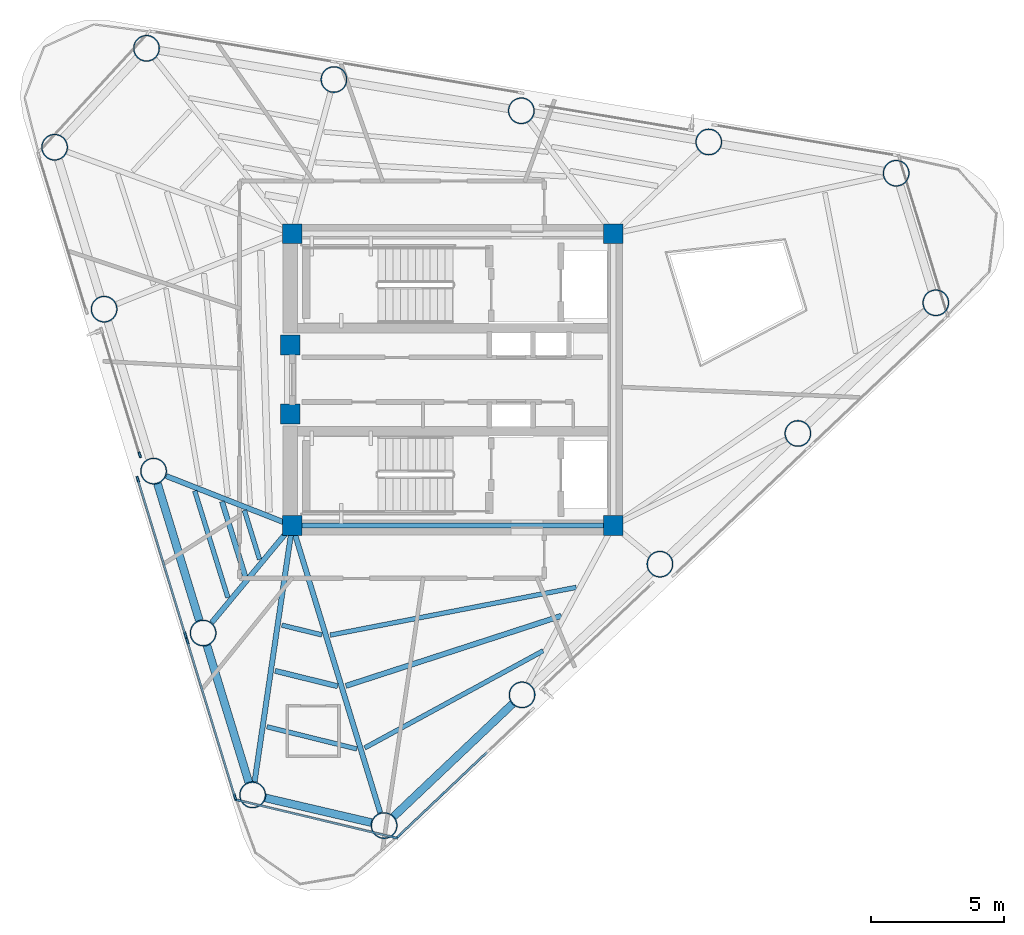
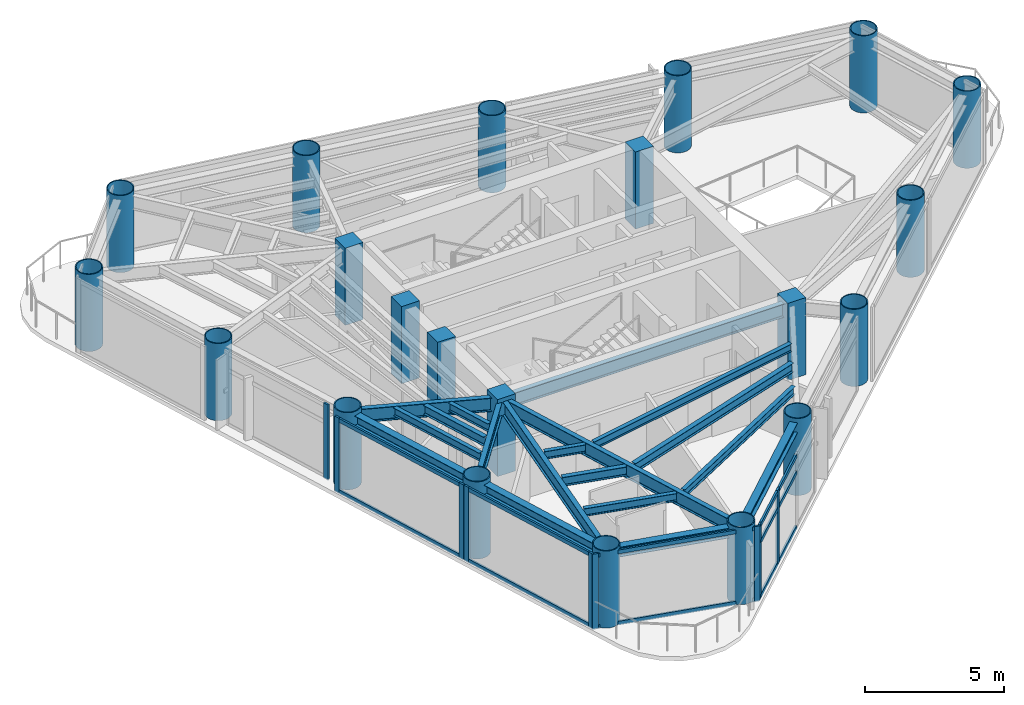
# One storey, part 1 of 9: 21 columns, 21 members, 18 beams, 5 elements without a shape of their own.
"""IFC4 building model written with IfcOpenShell, lengths in metres."""

import ifcopenshell
import ifcopenshell.guid

model = None  # the IFC model being written
_history = None  # IfcOwnerHistory: only IFC2X3 demands one
_inside = {}  # id of a spatial element -> (the spatial element, [elements in it])
_under = {}  # id of a project, library or spatial element -> (it, [spatial elements below it])
_declared = {}  # id of a project -> (the project, [libraries it declares])
_typed = {}  # id of a type object -> (the type object, [elements of that type])
_made_of = {}  # id of a material, layer set ... -> (it, [elements and type objects made of it])


def new_model(schema):
    """Start an empty IFC model of exactly this schema.

    Asked for "IFC4X3", IfcOpenShell would pick the latest addendum, in which some entities
    have other attributes; the version numbers below select the first issue.
    IFC2X3 requires an IfcOwnerHistory on every rooted entity: one is made here for all.
    """
    global model, _history
    if schema == "IFC4X3":
        model = ifcopenshell.file(schema_version=(4, 3, 0, 0))
    else:
        model = ifcopenshell.file(schema=schema)
    _inside.clear()
    _under.clear()
    _declared.clear()
    _typed.clear()
    _made_of.clear()
    _history = None
    if model.schema == "IFC2X3":
        org = make("IfcOrganization", Name="unknown")
        user = make(
            "IfcPersonAndOrganization",
            ThePerson=make("IfcPerson", FamilyName="unknown"),
            TheOrganization=org,
        )
        app = make(
            "IfcApplication",
            ApplicationDeveloper=org,
            Version="unknown",
            ApplicationFullName="unknown",
            ApplicationIdentifier="unknown",
        )
        _history = make(
            "IfcOwnerHistory",
            OwningUser=user,
            OwningApplication=app,
            ChangeAction="ADDED",
            CreationDate=0,
        )
    return model


def make(cls, **values):
    """One entity of the class cls with the attributes given. An attribute that is None is left unset."""
    return model.create_entity(
        cls, **{name: value for name, value in values.items() if value is not None}
    )


def rooted(cls, **values):
    """An entity with a GlobalId (a new one), such as an element, a storey or a relation."""
    return make(cls, GlobalId=ifcopenshell.guid.new(), OwnerHistory=_history, **values)


def si_unit(unit_type, name, prefix=None):
    """IfcSIUnit, for example si_unit("LENGTHUNIT", "METRE", prefix="MILLI")."""
    return make("IfcSIUnit", UnitType=unit_type, Prefix=prefix, Name=name)


def assignment(units):
    """IfcUnitAssignment: the units of a project."""
    return None if units is None else make("IfcUnitAssignment", Units=units)


def point(xyz):
    """IfcCartesianPoint."""
    return None if xyz is None else make("IfcCartesianPoint", Coordinates=xyz)


def direction(xyz):
    """IfcDirection."""
    return None if xyz is None else make("IfcDirection", DirectionRatios=xyz)


def frame(location, z_axis=None, x_axis=None):
    """IfcAxis2Placement3D, a coordinate frame: its origin and axes. An axis left out is left unset."""
    return make(
        "IfcAxis2Placement3D",
        Location=point(location),
        Axis=direction(z_axis),
        RefDirection=direction(x_axis),
    )


def frame_2d(location, x_axis=None):
    """IfcAxis2Placement2D, a coordinate frame in the plane: its origin and x axis."""
    return make(
        "IfcAxis2Placement2D", Location=point(location), RefDirection=direction(x_axis)
    )


def origin():
    """The frame at (0, 0, 0) with its axes left unset."""
    return frame((0.0, 0.0, 0.0))


def origin_2d():
    """The frame at (0, 0) in the plane with its x axis left unset."""
    return frame_2d((0.0, 0.0))


def place(relative_to, where):
    """IfcLocalPlacement: puts the frame where relative to a parent placement (None: the world)."""
    return make(
        "IfcLocalPlacement", PlacementRelTo=relative_to, RelativePlacement=where
    )


def context(
    kind, dimensions, precision=None, world=None, true_north=None, identifier=None
):
    """IfcGeometricRepresentationContext, for example the 3D "Model" context."""
    return make(
        "IfcGeometricRepresentationContext",
        ContextIdentifier=identifier,
        ContextType=kind,
        CoordinateSpaceDimension=dimensions,
        Precision=precision,
        WorldCoordinateSystem=world,
        TrueNorth=true_north,
    )


def subcontext(parent, identifier, kind, view, scale=None):
    """IfcGeometricRepresentationSubContext, for example "Body" below "Model"."""
    return make(
        "IfcGeometricRepresentationSubContext",
        ContextIdentifier=identifier,
        ContextType=kind,
        ParentContext=parent,
        TargetScale=scale,
        TargetView=view,
    )


def project(units=None, contexts=None):
    """IfcProject with its units and contexts."""
    return rooted(
        "IfcProject",
        Name="project",
        RepresentationContexts=contexts,
        UnitsInContext=assignment(units),
    )


def spatial(cls, under=None, at=None, **own):
    """A site, building, storey or space (cls), placed at a placement, below another one or the project."""
    s = rooted(cls, ObjectPlacement=at, **own)
    if under is not None:
        _under.setdefault(under.id(), (under, []))[1].append(s)
    return s


def profile(cls, at=None, kind="AREA", **sizes):
    """A parametric profile (cls). Its sizes go by their IFC names, for example OverallWidth=200.0."""
    return make(cls, ProfileType=kind, Position=at, **sizes)


def rectangle(**sizes):
    """IfcRectangleProfileDef."""
    return profile("IfcRectangleProfileDef", **sizes)


def hollow_circle(**sizes):
    """IfcCircleHollowProfileDef."""
    return profile("IfcCircleHollowProfileDef", **sizes)


def i_section(**sizes):
    """IfcIShapeProfileDef."""
    return profile("IfcIShapeProfileDef", **sizes)


def extrude(swept, where, along, depth):
    """IfcExtrudedAreaSolid: the profile swept, set in the frame where, extruded along a direction by depth."""
    return make(
        "IfcExtrudedAreaSolid",
        SweptArea=swept,
        Position=where,
        ExtrudedDirection=direction(along),
        Depth=depth,
    )


def shape(context_of_items, identifier, shape_type, items):
    """IfcShapeRepresentation: the items that make up one representation, for example the "Body"."""
    return make(
        "IfcShapeRepresentation",
        ContextOfItems=context_of_items,
        RepresentationIdentifier=identifier,
        RepresentationType=shape_type,
        Items=items,
    )


def source(mapping_origin, context_of_items, identifier, shape_type, items):
    """IfcRepresentationMap: a shape defined once, which mapped items show again and again."""
    return make(
        "IfcRepresentationMap",
        MappingOrigin=mapping_origin,
        MappedRepresentation=shape(context_of_items, identifier, shape_type, items),
    )


def transform(
    local_origin,
    x_axis=None,
    y_axis=None,
    z_axis=None,
    scale=None,
    scale2=None,
    scale3=None,
    uniform=True,
):
    """IfcCartesianTransformationOperator3D, or its non-uniform kind. x_axis, y_axis, z_axis: its Axis1, 2, 3."""
    if uniform:
        return make(
            "IfcCartesianTransformationOperator3D",
            Axis1=direction(x_axis),
            Axis2=direction(y_axis),
            LocalOrigin=point(local_origin),
            Scale=scale,
            Axis3=direction(z_axis),
        )
    return make(
        "IfcCartesianTransformationOperator3DnonUniform",
        Axis1=direction(x_axis),
        Axis2=direction(y_axis),
        LocalOrigin=point(local_origin),
        Scale=scale,
        Axis3=direction(z_axis),
        Scale2=scale2,
        Scale3=scale3,
    )


def mapped(mapping_source, mapping_target):
    """IfcMappedItem: shows the shape of a source again, moved by a transform."""
    return make(
        "IfcMappedItem", MappingSource=mapping_source, MappingTarget=mapping_target
    )


def material(Name=None, Category=None):
    """IfcMaterial."""
    return make("IfcMaterial", Name=Name, Category=Category)


def layer(
    of_material, thickness, ventilated=None, Name=None, Category=None, Priority=None
):
    """IfcMaterialLayer: one layer of a wall or slab, of a material (None: an air gap)."""
    return make(
        "IfcMaterialLayer",
        Material=of_material,
        LayerThickness=thickness,
        IsVentilated=ventilated,
        Name=Name,
        Category=Category,
        Priority=Priority,
    )


def layer_set(layers, Name=None):
    """IfcMaterialLayerSet."""
    return make("IfcMaterialLayerSet", MaterialLayers=layers, LayerSetName=Name)


def material_profile(
    of_material, cross_section, Name=None, Category=None, Priority=None
):
    """IfcMaterialProfile: a cross section and its material."""
    return make(
        "IfcMaterialProfile",
        Name=Name,
        Material=of_material,
        Profile=cross_section,
        Priority=Priority,
        Category=Category,
    )


def profile_set(profiles, Name=None, composite=None):
    """IfcMaterialProfileSet."""
    return make(
        "IfcMaterialProfileSet",
        Name=Name,
        MaterialProfiles=profiles,
        CompositeProfile=composite,
    )


def made_of(thing, what):
    """Note that an element or type object is made of a material, layer set ...; save() writes the relation."""
    if what is not None:
        _made_of.setdefault(what.id(), (what, []))[1].append(thing)
    return thing


def type_object(cls, material=None, **own):
    """A type object (cls), such as IfcWallType, which elements share."""
    return made_of(rooted(cls, **own), material)


def element(
    cls,
    number,
    at=None,
    inside=None,
    cuts=None,
    type_object=None,
    material=None,
    context=None,
    identifier="Body",
    shape_type=None,
    held_by="IfcProductDefinitionShape",
    body=None,
    shapes=None,
    **own,
):
    """One element of the class cls, such as IfcWall. Its Tag is "e" and its number.

    at: its placement. inside: the storey or other place that contains it. cuts: it is an
    opening in that element (IfcRelVoidsElement). A single representation is given by context,
    identifier, shape_type and body (its items); several are given by shapes. held_by: the class
    of the entity that holds the representations. save() writes the other relations.
    """
    e = rooted(cls, Tag="e%d" % number, ObjectPlacement=at, **own)
    if body is not None:
        shapes = [shape(context, identifier, shape_type, body)]
    if shapes is not None:
        e.Representation = make(held_by, Representations=shapes)
    if inside is not None:
        _inside.setdefault(inside.id(), (inside, []))[1].append(e)
    if cuts is not None:
        rooted(
            "IfcRelVoidsElement", RelatingBuildingElement=cuts, RelatedOpeningElement=e
        )
    if type_object is not None:
        _typed.setdefault(type_object.id(), (type_object, []))[1].append(e)
    return made_of(e, material)


def aggregate(whole, parts):
    """IfcRelAggregates: a whole, such as a stair, and the parts it consists of."""
    return rooted("IfcRelAggregates", RelatingObject=whole, RelatedObjects=parts)


def save(model, path):
    """Write the relations noted so far, then the file.

    IfcRelAggregates (storeys below a building ...), IfcRelContainedInSpatialStructure (elements
    in a storey), IfcRelDefinesByType, IfcRelAssociatesMaterial and IfcRelDeclares: one each for
    every whole, place, type object, material and project.
    """
    for whole, parts in _under.values():
        aggregate(whole, parts)
    for where, things in _inside.values():
        rooted(
            "IfcRelContainedInSpatialStructure",
            RelatedElements=things,
            RelatingStructure=where,
        )
    for kind, things in _typed.values():
        rooted("IfcRelDefinesByType", RelatedObjects=things, RelatingType=kind)
    for what, things in _made_of.values():
        rooted("IfcRelAssociatesMaterial", RelatedObjects=things, RelatingMaterial=what)
    for by, libraries in _declared.values():
        rooted("IfcRelDeclares", RelatingContext=by, RelatedDefinitions=libraries)
    model.write(path)


model = new_model("IFC4")

# Units and contexts
model_context = context("Model", 3, precision=1e-05, world=origin(), true_north=direction((0.0, 1.0)))
body_context = subcontext(model_context, "Body", "Model", "MODEL_VIEW")
ifc_project = project(units=[si_unit("LENGTHUNIT", "METRE"), si_unit("AREAUNIT", "SQUARE_METRE"), si_unit("VOLUMEUNIT", "CUBIC_METRE"), si_unit("PLANEANGLEUNIT", "RADIAN"), si_unit("MASSUNIT", "GRAM", prefix="KILO")], contexts=[model_context])

# Site, building, storey
site_placement = place(None, origin())
site = spatial("IfcSite", under=ifc_project, at=site_placement, CompositionType="ELEMENT")
building_placement = place(site_placement, origin())
building = spatial("IfcBuilding", under=site, at=building_placement, Name="Yunling Apex Tower", CompositionType="ELEMENT")
storey_placement = place(building_placement, frame((0.0, 0.0, 232.050048828125)))
storey = spatial("IfcBuildingStorey", under=building, at=storey_placement, Name="L56", CompositionType="ELEMENT", Elevation=232.050048828125)

# Columns
ifc_material_1 = material(Name="Concrete C50", Category="concrete")
ifc_material_profile_1 = material_profile(ifc_material_1, rectangle(XDim=0.75, YDim=0.75, at=origin_2d()))
ifc_profile_set_1 = profile_set([ifc_material_profile_1], Name="Concrete C50")
column_type_1 = type_object("IfcColumnType", Name="PC-SRC-4", PredefinedType="COLUMN", material=ifc_profile_set_1)
shared_shape_1 = source(origin(), body_context, "Body", "SweptSolid", [
    extrude(rectangle(XDim=0.75, YDim=0.75, at=origin_2d()), origin(), (0.0, 0.0, 1.0), 3.39990234375),
])
for number, where, z_axis, x_axis, name in (
    (1, (-6.050048828125, -5.5, 0.0), (0.0, 0.0, 1.0), (1.0, 0.0, 0.0), "L56 Core Spine Column CC-SW"),
    (2, (6.050048828125, -5.5, 0.0), (0.0, 0.0, 1.0), (1.0, 0.0, 0.0), "L56 Core Spine Column CC-SE"),
    (3, (6.050048828125, 5.5, 0.0), (0.0, 0.0, 1.0), (1.0, 0.0, 0.0), "L56 Core Spine Column CC-NE"),
    (4, (-6.050048828125, 5.5, 0.0), (0.0, 0.0, 1.0), (1.0, 0.0, 0.0), "L56 Core Spine Column CC-NW"),
    (5, (-6.125, -1.300048828125, 0.0), (0.0, 0.0, 1.0), (1.0, 0.0, 0.0), "L56 Core West Portal Jamb Column S"),
    (6, (-6.125, 1.300048828125, 0.0), (0.0, 0.0, 1.0), (1.0, 0.0, 0.0), "L56 Core West Portal Jamb Column N"),
):
    element("IfcColumn", number, at=place(storey_placement, frame(where, z_axis=z_axis, x_axis=x_axis)), inside=storey, type_object=column_type_1, Name=name, PredefinedType="COLUMN", context=body_context, shape_type="MappedRepresentation", body=[
        mapped(shared_shape_1, transform((0.0, 0.0, 0.0), scale=1.0)),
    ])
ifc_material_2 = material(Name="Steel Q390GJC", Category="steel")
ifc_material_profile_2 = material_profile(ifc_material_2, hollow_circle(Radius=0.5, WallThickness=0.0400390625, at=origin_2d()))
ifc_profile_set_2 = profile_set([ifc_material_profile_2], Name="Steel Q390GJC")
column_type_2 = type_object("IfcColumnType", Name="MC-CFST-5", PredefinedType="COLUMN", material=ifc_profile_set_2)
shared_shape_2 = source(origin(), body_context, "Body", "SweptSolid", [
    extrude(hollow_circle(Radius=0.5, WallThickness=0.0400390625, at=origin_2d()), origin(), (0.0, 0.0, 1.0), 3.39990234375),
])
for number, where, z_axis, x_axis, name in (
    (7, (-2.58740234375, -16.807861328125, 0.0), (0.0, 0.0, 1.0), (1.0, 0.0, 0.0), "L56 Perimeter CFST Mega-Column P01"),
    (8, (2.61083984375, -11.8818359375, 0.0), (0.0, 0.0, 1.0), (1.0, 0.0, 0.0), "L56 Perimeter CFST Mega-Column P02"),
    (9, (7.80908203125, -6.9560546875, 0.0), (0.0, 0.0, 1.0), (1.0, 0.0, 0.0), "L56 Perimeter CFST Mega-Column P03"),
    (10, (13.007080078125, -2.030029296875, 0.0), (0.0, 0.0, 1.0), (1.0, 0.0, 0.0), "L56 Perimeter CFST Mega-Column P04"),
    (11, (18.205322265625, 2.89599609375, 0.0), (0.0, 0.0, 1.0), (1.0, 0.0, 0.0), "L56 Perimeter CFST Mega-Column P05"),
    (12, (16.712158203125, 7.779296875, 0.0), (0.0, 0.0, 1.0), (1.0, 0.0, 0.0), "L56 Perimeter CFST Mega-Column P06"),
    (13, (9.648193359375, 8.95654296875, 0.0), (0.0, 0.0, 1.0), (1.0, 0.0, 0.0), "L56 Perimeter CFST Mega-Column P07"),
    (14, (2.584228515625, 10.133544921875, 0.0), (0.0, 0.0, 1.0), (1.0, 0.0, 0.0), "L56 Perimeter CFST Mega-Column P08"),
    (15, (-4.479736328125, 11.310546875, 0.0), (0.0, 0.0, 1.0), (1.0, 0.0, 0.0), "L56 Perimeter CFST Mega-Column P09"),
    (16, (-11.543701171875, 12.487548828125, 0.0), (0.0, 0.0, 1.0), (1.0, 0.0, 0.0), "L56 Perimeter CFST Mega-Column P10"),
    (17, (-15.007568359375, 8.7587890625, 0.0), (0.0, 0.0, 1.0), (1.0, 0.0, 0.0), "L56 Perimeter CFST Mega-Column P11"),
    (18, (-13.1416015625, 2.65576171875, 0.0), (0.0, 0.0, 1.0), (1.0, 0.0, 0.0), "L56 Perimeter CFST Mega-Column P12"),
    (19, (-11.27587890625, -3.447509765625, 0.0), (0.0, 0.0, 1.0), (1.0, 0.0, 0.0), "L56 Perimeter CFST Mega-Column P13"),
    (20, (-9.409912109375, -9.55029296875, 0.0), (0.0, 0.0, 1.0), (1.0, 0.0, 0.0), "L56 Perimeter CFST Mega-Column P14"),
    (21, (-7.5439453125, -15.6533203125, 0.0), (0.0, 0.0, 1.0), (1.0, 0.0, 0.0), "L56 Perimeter CFST Mega-Column P15"),
):
    element("IfcColumn", number, at=place(storey_placement, frame(where, z_axis=z_axis, x_axis=x_axis)), inside=storey, type_object=column_type_2, Name=name, PredefinedType="COLUMN", context=body_context, shape_type="MappedRepresentation", body=[
        mapped(shared_shape_2, transform((0.0, 0.0, 0.0), scale=1.0)),
    ])

# Beams
ifc_material_3 = material(Name="Steel Q355B", Category="steel")
ifc_material_profile_3 = material_profile(ifc_material_3, i_section(OverallWidth=0.199951171875, OverallDepth=0.60009765625, WebThickness=0.010986328125, FlangeThickness=0.01708984375, FilletRadius=0.02197265625, at=origin_2d()))
ifc_profile_set_3 = profile_set([ifc_material_profile_3], Name="Steel Q355B")
beam_type_1 = type_object("IfcBeamType", Name="BG-PRI-5", PredefinedType="USERDEFINED", material=ifc_profile_set_3)
shared_shape_3 = source(origin(), body_context, "Body", "SweptSolid", [
    extrude(i_section(OverallWidth=0.199951171875, OverallDepth=0.60009765625, WebThickness=0.010986328125, FlangeThickness=0.01708984375, FilletRadius=0.02197265625, at=origin_2d()), origin(), (0.0, 0.0, 1.0), 11.7998046875),
])
beam_1_placement = place(storey_placement, frame((-5.89990234375, -5.5, 2.919921875), z_axis=(1.0, 0.0, 0.0), x_axis=(0.0, 1.0, 0.0)))
element("IfcBeam", 22, at=beam_1_placement, inside=storey, type_object=beam_type_1, Name="L56 Core Ring Tie Beam 1", ObjectType="GIRDER", PredefinedType="USERDEFINED", context=body_context, shape_type="MappedRepresentation", body=[
    mapped(shared_shape_3, transform((0.0, 0.0, 0.0), scale=1.0)),
])
ifc_material_profile_4 = material_profile(ifc_material_3, i_section(OverallWidth=0.300048828125, OverallDepth=0.43994140625, WebThickness=0.010986328125, FlangeThickness=0.01806640625, FilletRadius=0.02197265625, at=origin_2d()))
ifc_profile_set_4 = profile_set([ifc_material_profile_4], Name="Steel Q355B")
beam_type_2 = type_object("IfcBeamType", Name="BP-SPN-3", PredefinedType="SPANDREL", material=ifc_profile_set_4)
shared_shape_4 = source(origin(), body_context, "Body", "SweptSolid", [
    extrude(i_section(OverallWidth=0.300048828125, OverallDepth=0.43994140625, WebThickness=0.010986328125, FlangeThickness=0.01806640625, FilletRadius=0.02197265625, at=origin_2d()), origin(), (0.0, 0.0, 1.0), 6.17333984375),
])
beam_2_placement = place(storey_placement, frame((-2.228759765625, -16.468017578125, 3.0), z_axis=(0.725853952128, 0.687848849807, 0.0), x_axis=(-0.687848849807, 0.725853952128, 0.0)))
element("IfcBeam", 23, at=beam_2_placement, inside=storey, type_object=beam_type_2, Name="L56 Perimeter Spandrel Beam 1", PredefinedType="SPANDREL", context=body_context, shape_type="MappedRepresentation", body=[
    mapped(shared_shape_4, transform((0.0, 0.0, 0.0), scale=1.0)),
])
shared_shape_5 = source(origin(), body_context, "Body", "SweptSolid", [
    extrude(i_section(OverallWidth=0.300048828125, OverallDepth=0.43994140625, WebThickness=0.010986328125, FlangeThickness=0.01806640625, FilletRadius=0.02197265625, at=origin_2d()), origin(), (0.0, 0.0, 1.0), 4.1015625),
])
beam_3_placement = place(storey_placement, frame((-7.06298828125, -15.765380859375, 3.0), z_axis=(0.973930702249, -0.226845734401, 0.0), x_axis=(0.226845734401, 0.973930702249, 0.0)))
element("IfcBeam", 24, at=beam_3_placement, inside=storey, type_object=beam_type_2, Name="L56 Perimeter Spandrel Beam 15", PredefinedType="SPANDREL", context=body_context, shape_type="MappedRepresentation", body=[
    mapped(shared_shape_5, transform((0.0, 0.0, 0.0), scale=1.0)),
])
shared_shape_6 = source(origin(), body_context, "Body", "SweptSolid", [
    extrude(i_section(OverallWidth=0.300048828125, OverallDepth=0.43994140625, WebThickness=0.010986328125, FlangeThickness=0.01806640625, FilletRadius=0.02197265625, at=origin_2d()), origin(), (0.0, 0.0, 1.0), 5.393798828125),
])
for number, where, z_axis, x_axis, name in (
    (25, (-11.13134765625, -3.919921875, 3.0), (0.292405975038, -0.956294277805, 0.0), (0.956294277805, 0.292405975038, 0.0), "L56 Perimeter Spandrel Beam 13"),
    (26, (-9.265380859375, -10.022705078125, 3.0), (0.292351925226, -0.956310802938, 0.0), (0.956310802938, 0.292351925226, 0.0), "L56 Perimeter Spandrel Beam 14"),
):
    element("IfcBeam", number, at=place(storey_placement, frame(where, z_axis=z_axis, x_axis=x_axis)), inside=storey, type_object=beam_type_2, Name=name, PredefinedType="SPANDREL", context=body_context, shape_type="MappedRepresentation", body=[
        mapped(shared_shape_6, transform((0.0, 0.0, 0.0), scale=1.0)),
    ])
shared_shape_7 = source(origin(), body_context, "Body", "SweptSolid", [
    extrude(i_section(OverallWidth=0.199951171875, OverallDepth=0.60009765625, WebThickness=0.010986328125, FlangeThickness=0.01708984375, FilletRadius=0.02197265625, at=origin_2d()), origin(), (0.0, 0.0, 1.0), 11.23828125),
])
beam_4_placement = place(storey_placement, frame((-2.736083984375, -16.322265625, 2.919921875), z_axis=(-0.292794126511, 0.956175506631, 0.0), x_axis=(-0.956175506631, -0.292794126511, 0.0)))
element("IfcBeam", 27, at=beam_4_placement, inside=storey, type_object=beam_type_1, Name="L56 Radial Primary Girder R01", ObjectType="GIRDER", PredefinedType="USERDEFINED", context=body_context, shape_type="MappedRepresentation", body=[
    mapped(shared_shape_7, transform((0.0, 0.0, 0.0), scale=1.0)),
])
shared_shape_8 = source(origin(), body_context, "Body", "SweptSolid", [
    extrude(i_section(OverallWidth=0.199951171875, OverallDepth=0.60009765625, WebThickness=0.010986328125, FlangeThickness=0.01708984375, FilletRadius=0.02197265625, at=origin_2d()), origin(), (0.0, 0.0, 1.0), 5.0263671875),
])
beam_5_placement = place(storey_placement, frame((-10.802978515625, -3.633056640625, 2.919921875), z_axis=(0.930773335483, -0.365596769617, 0.0), x_axis=(0.365596769617, 0.930773335483, 0.0)))
element("IfcBeam", 28, at=beam_5_placement, inside=storey, type_object=beam_type_1, Name="L56 Radial Primary Girder R13", ObjectType="GIRDER", PredefinedType="USERDEFINED", context=body_context, shape_type="MappedRepresentation", body=[
    mapped(shared_shape_8, transform((0.0, 0.0, 0.0), scale=1.0)),
])
shared_shape_9 = source(origin(), body_context, "Body", "SweptSolid", [
    extrude(i_section(OverallWidth=0.199951171875, OverallDepth=0.60009765625, WebThickness=0.010986328125, FlangeThickness=0.01708984375, FilletRadius=0.02197265625, at=origin_2d()), origin(), (0.0, 0.0, 1.0), 4.6748046875),
])
beam_6_placement = place(storey_placement, frame((-9.085693359375, -9.159423828125, 2.919921875), z_axis=(0.63846190647, 0.769653424593, 0.0), x_axis=(-0.769653424593, 0.63846190647, 0.0)))
element("IfcBeam", 29, at=beam_6_placement, inside=storey, type_object=beam_type_1, Name="L56 Radial Primary Girder R14", ObjectType="GIRDER", PredefinedType="USERDEFINED", context=body_context, shape_type="MappedRepresentation", body=[
    mapped(shared_shape_9, transform((0.0, 0.0, 0.0), scale=1.0)),
])
shared_shape_10 = source(origin(), body_context, "Body", "SweptSolid", [
    extrude(i_section(OverallWidth=0.199951171875, OverallDepth=0.60009765625, WebThickness=0.010986328125, FlangeThickness=0.01708984375, FilletRadius=0.02197265625, at=origin_2d()), origin(), (0.0, 0.0, 1.0), 9.6748046875),
])
beam_7_placement = place(storey_placement, frame((-7.469970703125, -15.15087890625, 2.919921875), z_axis=(0.145578261909, 0.989346738843, 0.0), x_axis=(-0.989346738843, 0.145578261909, 0.0)))
element("IfcBeam", 30, at=beam_7_placement, inside=storey, type_object=beam_type_1, Name="L56 Radial Primary Girder R15", ObjectType="GIRDER", PredefinedType="USERDEFINED", context=body_context, shape_type="MappedRepresentation", body=[
    mapped(shared_shape_10, transform((0.0, 0.0, 0.0), scale=1.0)),
])
ifc_material_profile_5 = material_profile(ifc_material_3, i_section(OverallWidth=0.199951171875, OverallDepth=0.39990234375, WebThickness=0.008056640625, FlangeThickness=0.012939453125, FilletRadius=0.01611328125, at=origin_2d()))
ifc_profile_set_5 = profile_set([ifc_material_profile_5], Name="Steel Q355B")
beam_type_3 = type_object("IfcBeamType", Name="BS-SEC-4", PredefinedType="BEAM", material=ifc_profile_set_5)
shared_shape_11 = source(origin(), body_context, "Body", "SweptSolid", [
    extrude(i_section(OverallWidth=0.199951171875, OverallDepth=0.39990234375, WebThickness=0.008056640625, FlangeThickness=0.012939453125, FilletRadius=0.01611328125, at=origin_2d()), origin(), (0.0, 0.0, 1.0), 8.540283203125),
])
beam_8_placement = place(storey_placement, frame((-4.03173828125, -11.544677734375, 3.02001953125), z_axis=(0.950990153104, 0.309221164702, 0.0), x_axis=(-0.309221164702, 0.950990153104, 0.0)))
element("IfcBeam", 31, at=beam_8_placement, inside=storey, type_object=beam_type_3, Name="L56 Composite Floor Beam BS-1", PredefinedType="BEAM", context=body_context, shape_type="MappedRepresentation", body=[
    mapped(shared_shape_11, transform((0.0, 0.0, 0.0), scale=1.0)),
])
ifc_material_profile_6 = material_profile(ifc_material_3, i_section(OverallWidth=0.175048828125, OverallDepth=0.35009765625, WebThickness=0.007080078125, FlangeThickness=0.010986328125, FilletRadius=0.013916015625, at=origin_2d()))
ifc_profile_set_6 = profile_set([ifc_material_profile_6], Name="Steel Q355B")
beam_type_4 = type_object("IfcBeamType", Name="BJ-JST-1", PredefinedType="JOIST", material=ifc_profile_set_6)
shared_shape_12 = source(origin(), body_context, "Body", "SweptSolid", [
    extrude(i_section(OverallWidth=0.175048828125, OverallDepth=0.35009765625, WebThickness=0.007080078125, FlangeThickness=0.010986328125, FilletRadius=0.013916015625, at=origin_2d()), origin(), (0.0, 0.0, 1.0), 7.657470703125),
])
beam_9_placement = place(storey_placement, frame((-3.3193359375, -13.881591796875, 3.044921875), z_axis=(0.878333844235, 0.478047757104, 0.0), x_axis=(-0.478047757104, 0.878333844235, 0.0)))
element("IfcBeam", 32, at=beam_9_placement, inside=storey, type_object=beam_type_4, Name="L56 Composite Floor Joist BJ1-1", PredefinedType="JOIST", context=body_context, shape_type="MappedRepresentation", body=[
    mapped(shared_shape_12, transform((0.0, 0.0, 0.0), scale=1.0)),
])
shared_shape_13 = source(origin(), body_context, "Body", "SweptSolid", [
    extrude(i_section(OverallWidth=0.175048828125, OverallDepth=0.35009765625, WebThickness=0.007080078125, FlangeThickness=0.010986328125, FilletRadius=0.013916015625, at=origin_2d()), origin(), (0.0, 0.0, 1.0), 9.4462890625),
])
beam_10_placement = place(storey_placement, frame((-4.619140625, -9.62939453125, 3.044921875), z_axis=(0.981676272709, 0.190556279353, 0.0), x_axis=(-0.190556279353, 0.981676272709, 0.0)))
element("IfcBeam", 33, at=beam_10_placement, inside=storey, type_object=beam_type_4, Name="L56 Composite Floor Joist BJ3-1", PredefinedType="JOIST", context=body_context, shape_type="MappedRepresentation", body=[
    mapped(shared_shape_13, transform((0.0, 0.0, 0.0), scale=1.0)),
])
shared_shape_14 = source(origin(), body_context, "Body", "SweptSolid", [
    extrude(i_section(OverallWidth=0.199951171875, OverallDepth=0.39990234375, WebThickness=0.008056640625, FlangeThickness=0.012939453125, FilletRadius=0.01611328125, at=origin_2d()), origin(), (0.0, 0.0, 1.0), 2.9619140625),
])
beam_11_placement = place(storey_placement, frame((-8.697021484375, -4.594482421875, 3.02001953125), z_axis=(0.296152913488, -0.955140540356, 0.0), x_axis=(0.955140540356, 0.296152913488, 0.0)))
element("IfcBeam", 34, at=beam_11_placement, inside=storey, type_object=beam_type_3, Name="L56 Composite Floor Beam BS-13", PredefinedType="BEAM", context=body_context, shape_type="MappedRepresentation", body=[
    mapped(shared_shape_14, transform((0.0, 0.0, 0.0), scale=1.0)),
])
shared_shape_15 = source(origin(), body_context, "Body", "SweptSolid", [
    extrude(i_section(OverallWidth=0.175048828125, OverallDepth=0.35009765625, WebThickness=0.007080078125, FlangeThickness=0.010986328125, FilletRadius=0.013916015625, at=origin_2d()), origin(), (0.0, 0.0, 1.0), 4.21435546875),
])
beam_12_placement = place(storey_placement, frame((-9.726318359375, -4.190185546875, 3.044921875), z_axis=(0.296539510889, -0.955020585371, 0.0), x_axis=(0.955020585371, 0.296539510889, 0.0)))
element("IfcBeam", 35, at=beam_12_placement, inside=storey, type_object=beam_type_4, Name="L56 Composite Floor Joist BJ1-13", PredefinedType="JOIST", context=body_context, shape_type="MappedRepresentation", body=[
    mapped(shared_shape_15, transform((0.0, 0.0, 0.0), scale=1.0)),
])
shared_shape_16 = source(origin(), body_context, "Body", "SweptSolid", [
    extrude(i_section(OverallWidth=0.175048828125, OverallDepth=0.35009765625, WebThickness=0.007080078125, FlangeThickness=0.010986328125, FilletRadius=0.013916015625, at=origin_2d()), origin(), (0.0, 0.0, 1.0), 1.93701171875),
])
beam_13_placement = place(storey_placement, frame((-7.85498046875, -4.92529296875, 3.044921875), z_axis=(0.295546803782, -0.955328261266, 0.0), x_axis=(0.955328261266, 0.295546803782, 0.0)))
element("IfcBeam", 36, at=beam_13_placement, inside=storey, type_object=beam_type_4, Name="L56 Composite Floor Joist BJ3-13", PredefinedType="JOIST", context=body_context, shape_type="MappedRepresentation", body=[
    mapped(shared_shape_16, transform((0.0, 0.0, 0.0), scale=1.0)),
])
shared_shape_17 = source(origin(), body_context, "Body", "SweptSolid", [
    extrude(i_section(OverallWidth=0.199951171875, OverallDepth=0.39990234375, WebThickness=0.008056640625, FlangeThickness=0.012939453125, FilletRadius=0.01611328125, at=origin_2d()), origin(), (0.0, 0.0, 1.0), 2.42578125),
])
beam_14_placement = place(storey_placement, frame((-6.69482421875, -10.977294921875, 3.02001953125), z_axis=(0.971134786196, -0.23853139634, 0.0), x_axis=(0.23853139634, 0.971134786196, 0.0)))
element("IfcBeam", 37, at=beam_14_placement, inside=storey, type_object=beam_type_3, Name="L56 Composite Floor Beam BS-15", PredefinedType="BEAM", context=body_context, shape_type="MappedRepresentation", body=[
    mapped(shared_shape_17, transform((0.0, 0.0, 0.0), scale=1.0)),
])
shared_shape_18 = source(origin(), body_context, "Body", "SweptSolid", [
    extrude(i_section(OverallWidth=0.175048828125, OverallDepth=0.35009765625, WebThickness=0.007080078125, FlangeThickness=0.010986328125, FilletRadius=0.013916015625, at=origin_2d()), origin(), (0.0, 0.0, 1.0), 3.4912109375),
])
beam_15_placement = place(storey_placement, frame((-7.0048828125, -13.08349609375, 3.044921875), z_axis=(0.970878392095, -0.239572844376, 0.0), x_axis=(0.239572844376, 0.970878392095, 0.0)))
element("IfcBeam", 38, at=beam_15_placement, inside=storey, type_object=beam_type_4, Name="L56 Composite Floor Joist BJ1-15", PredefinedType="JOIST", context=body_context, shape_type="MappedRepresentation", body=[
    mapped(shared_shape_18, transform((0.0, 0.0, 0.0), scale=1.0)),
])
shared_shape_19 = source(origin(), body_context, "Body", "SweptSolid", [
    extrude(i_section(OverallWidth=0.175048828125, OverallDepth=0.35009765625, WebThickness=0.007080078125, FlangeThickness=0.010986328125, FilletRadius=0.013916015625, at=origin_2d()), origin(), (0.0, 0.0, 1.0), 1.553955078125),
])
beam_16_placement = place(storey_placement, frame((-6.44140625, -9.254150390625, 3.044921875), z_axis=(0.971567073494, -0.23676448573, 0.0), x_axis=(0.23676448573, 0.971567073494, 0.0)))
element("IfcBeam", 39, at=beam_16_placement, inside=storey, type_object=beam_type_4, Name="L56 Composite Floor Joist BJ3-15", PredefinedType="JOIST", context=body_context, shape_type="MappedRepresentation", body=[
    mapped(shared_shape_19, transform((0.0, 0.0, 0.0), scale=1.0)),
])

# Curtain wall, members
ifc_material_4 = material(Name="Bronze anodised aluminium", Category="aluminium")
ifc_layer = layer(ifc_material_4, 0.219970703125)
ifc_layer_set = layer_set([ifc_layer], Name="Bronze anodised aluminium")
curtain_wall_type = type_object("IfcCurtainWallType", Name="CW-SYS-4", PredefinedType="NOTDEFINED", material=ifc_layer_set)
curtain_wall_1_placement = place(storey_placement, origin())
curtain_wall_1 = element("IfcCurtainWall", 40, at=curtain_wall_1_placement, inside=storey, type_object=curtain_wall_type, Name="CW-L56-F1-B1", PredefinedType="NOTDEFINED")
ifc_material_profile_7 = material_profile(ifc_material_4, rectangle(XDim=0.080078125, YDim=0.169921875, at=origin_2d()))
ifc_profile_set_7 = profile_set([ifc_material_profile_7], Name="Bronze anodised aluminium")
member_type_1 = type_object("IfcMemberType", Name="CW-TRN-4", PredefinedType="USERDEFINED", material=ifc_profile_set_7)
shared_shape_20 = source(origin(), body_context, "Body", "SweptSolid", [
    extrude(rectangle(XDim=0.080078125, YDim=0.169921875, at=origin_2d()), origin(), (0.0, 0.0, 1.0), 2.2216796875),
])
member_1_placement = place(storey_placement, frame((-2.02001953125, -17.1796875, 0.0400390625), z_axis=(0.725808289903, 0.687897031763, 0.0), x_axis=(-0.687897031763, 0.725808289903, 0.0)))
member_1 = element("IfcMember", 41, at=member_1_placement, type_object=member_type_1, Name="CW-SYS-4 transom 1.1", ObjectType="TRANSOM", PredefinedType="USERDEFINED", context=body_context, shape_type="MappedRepresentation", body=[
    mapped(shared_shape_20, transform((0.0, 0.0, 0.0), scale=1.0)),
])
member_2_placement = place(storey_placement, frame((-2.02001953125, -17.1796875, 2.447265625), z_axis=(0.725808289903, 0.687897031763, 0.0), x_axis=(-0.687897031763, 0.725808289903, 0.0)))
member_2 = element("IfcMember", 42, at=member_2_placement, type_object=member_type_1, Name="CW-SYS-4 transom 1.2", ObjectType="TRANSOM", PredefinedType="USERDEFINED", context=body_context, shape_type="MappedRepresentation", body=[
    mapped(shared_shape_20, transform((0.0, 0.0, 0.0), scale=1.0)),
])
member_3_placement = place(storey_placement, frame((-2.02001953125, -17.1796875, 3.179931640625), z_axis=(0.725808289903, 0.687897031763, 0.0), x_axis=(-0.687897031763, 0.725808289903, 0.0)))
member_3 = element("IfcMember", 43, at=member_3_placement, type_object=member_type_1, Name="CW-SYS-4 transom 1.3", ObjectType="TRANSOM", PredefinedType="USERDEFINED", context=body_context, shape_type="MappedRepresentation", body=[
    mapped(shared_shape_20, transform((0.0, 0.0, 0.0), scale=1.0)),
])
shared_shape_21 = source(origin(), body_context, "Body", "SweptSolid", [
    extrude(rectangle(XDim=0.080078125, YDim=0.169921875, at=origin_2d()), origin(), (0.0, 0.0, 1.0), 2.26171875),
])
member_4_placement = place(storey_placement, frame((-0.355224609375, -15.601806640625, 0.0400390625), z_axis=(0.725901626713, 0.687798537608, 0.0), x_axis=(-0.687798537608, 0.725901626713, 0.0)))
member_4 = element("IfcMember", 44, at=member_4_placement, type_object=member_type_1, Name="CW-SYS-4 transom 2.1", ObjectType="TRANSOM", PredefinedType="USERDEFINED", context=body_context, shape_type="MappedRepresentation", body=[
    mapped(shared_shape_21, transform((0.0, 0.0, 0.0), scale=1.0)),
])
member_5_placement = place(storey_placement, frame((-0.355224609375, -15.601806640625, 2.447265625), z_axis=(0.725901626713, 0.687798537608, 0.0), x_axis=(-0.687798537608, 0.725901626713, 0.0)))
member_5 = element("IfcMember", 45, at=member_5_placement, type_object=member_type_1, Name="CW-SYS-4 transom 2.2", ObjectType="TRANSOM", PredefinedType="USERDEFINED", context=body_context, shape_type="MappedRepresentation", body=[
    mapped(shared_shape_21, transform((0.0, 0.0, 0.0), scale=1.0)),
])
member_6_placement = place(storey_placement, frame((-0.355224609375, -15.601806640625, 3.179931640625), z_axis=(0.725901626713, 0.687798537608, 0.0), x_axis=(-0.687798537608, 0.725901626713, 0.0)))
member_6 = element("IfcMember", 46, at=member_6_placement, type_object=member_type_1, Name="CW-SYS-4 transom 2.3", ObjectType="TRANSOM", PredefinedType="USERDEFINED", context=body_context, shape_type="MappedRepresentation", body=[
    mapped(shared_shape_21, transform((0.0, 0.0, 0.0), scale=1.0)),
])

curtain_wall_2_placement = place(storey_placement, origin())
curtain_wall_2 = element("IfcCurtainWall", 47, at=curtain_wall_2_placement, inside=storey, type_object=curtain_wall_type, Name="CW-L56-F3-B3", PredefinedType="NOTDEFINED")
shared_shape_22 = source(origin(), body_context, "Body", "SweptSolid", [
    extrude(rectangle(XDim=0.080078125, YDim=0.169921875, at=origin_2d()), origin(), (0.0, 0.0, 1.0), 6.06982421875),
])
member_7_placement = place(storey_placement, frame((-11.861328125, -3.78955078125, 0.0400390625), z_axis=(0.292369766892, -0.956305348415, 0.0), x_axis=(0.956305348415, 0.292369766892, 0.0)))
member_7 = element("IfcMember", 48, at=member_7_placement, type_object=member_type_1, Name="CW-SYS-4 transom 1.1", ObjectType="TRANSOM", PredefinedType="USERDEFINED", context=body_context, shape_type="MappedRepresentation", body=[
    mapped(shared_shape_22, transform((0.0, 0.0, 0.0), scale=1.0)),
])
member_8_placement = place(storey_placement, frame((-11.861328125, -3.78955078125, 3.179931640625), z_axis=(0.292369766892, -0.956305348415, 0.0), x_axis=(0.956305348415, 0.292369766892, 0.0)))
member_8 = element("IfcMember", 49, at=member_8_placement, type_object=member_type_1, Name="CW-SYS-4 transom 1.2", ObjectType="TRANSOM", PredefinedType="USERDEFINED", context=body_context, shape_type="MappedRepresentation", body=[
    mapped(shared_shape_22, transform((0.0, 0.0, 0.0), scale=1.0)),
])

curtain_wall_3_placement = place(storey_placement, origin())
curtain_wall_3 = element("IfcCurtainWall", 50, at=curtain_wall_3_placement, inside=storey, type_object=curtain_wall_type, Name="CW-L56-F3-B4", PredefinedType="NOTDEFINED")
member_9_placement = place(storey_placement, frame((-9.995361328125, -9.892578125, 0.0400390625), z_axis=(0.292369766892, -0.956305348415, 0.0), x_axis=(0.956305348415, 0.292369766892, 0.0)))
member_9 = element("IfcMember", 51, at=member_9_placement, type_object=member_type_1, Name="CW-SYS-4 transom 1.1", ObjectType="TRANSOM", PredefinedType="USERDEFINED", context=body_context, shape_type="MappedRepresentation", body=[
    mapped(shared_shape_22, transform((0.0, 0.0, 0.0), scale=1.0)),
])
member_10_placement = place(storey_placement, frame((-9.995361328125, -9.892578125, 3.179931640625), z_axis=(0.292369766892, -0.956305348415, 0.0), x_axis=(0.956305348415, 0.292369766892, 0.0)))
member_10 = element("IfcMember", 52, at=member_10_placement, type_object=member_type_1, Name="CW-SYS-4 transom 1.2", ObjectType="TRANSOM", PredefinedType="USERDEFINED", context=body_context, shape_type="MappedRepresentation", body=[
    mapped(shared_shape_22, transform((0.0, 0.0, 0.0), scale=1.0)),
])

curtain_wall_4_placement = place(storey_placement, origin())
curtain_wall_4 = element("IfcCurtainWall", 53, at=curtain_wall_4_placement, inside=storey, type_object=curtain_wall_type, Name="CW-L56-CRN3", PredefinedType="NOTDEFINED")
shared_shape_23 = source(origin(), body_context, "Body", "SweptSolid", [
    extrude(rectangle(XDim=0.080078125, YDim=0.169921875, at=origin_2d()), origin(), (0.0, 0.0, 1.0), 6.02490234375),
])
member_11_placement = place(storey_placement, frame((-8.08203125, -15.858154296875, 0.0400390625), z_axis=(0.972757933043, -0.231823216485, 0.0), x_axis=(0.231823216485, 0.972757933043, 0.0)))
member_11 = element("IfcMember", 54, at=member_11_placement, type_object=member_type_1, Name="CW-SYS-4 transom 1.1", ObjectType="TRANSOM", PredefinedType="USERDEFINED", context=body_context, shape_type="MappedRepresentation", body=[
    mapped(shared_shape_23, transform((0.0, 0.0, 0.0), scale=1.0)),
])
member_12_placement = place(storey_placement, frame((-8.08203125, -15.858154296875, 3.179931640625), z_axis=(0.972757933043, -0.231823216485, 0.0), x_axis=(0.231823216485, 0.972757933043, 0.0)))
member_12 = element("IfcMember", 55, at=member_12_placement, type_object=member_type_1, Name="CW-SYS-4 transom 1.2", ObjectType="TRANSOM", PredefinedType="USERDEFINED", context=body_context, shape_type="MappedRepresentation", body=[
    mapped(shared_shape_23, transform((0.0, 0.0, 0.0), scale=1.0)),
])

# Member
ifc_material_profile_8 = material_profile(ifc_material_4, rectangle(XDim=0.080078125, YDim=0.219970703125, at=origin_2d()))
ifc_profile_set_8 = profile_set([ifc_material_profile_8], Name="Bronze anodised aluminium")
member_type_2 = type_object("IfcMemberType", Name="CW-MUL-4", PredefinedType="MULLION", material=ifc_profile_set_8)
shared_shape_24 = source(origin(), body_context, "Body", "SweptSolid", [
    extrude(rectangle(XDim=0.080078125, YDim=0.219970703125, at=origin_2d()), origin(), (0.0, 0.0, 1.0), 3.320068359375),
])
member_13_placement = place(storey_placement, frame((-2.04638671875, -17.204345703125, -0.050048828125), z_axis=(0.0, 0.0, 1.0), x_axis=(-0.687848040467, 0.72585471909, 0.0)))
member_13 = element("IfcMember", 56, at=member_13_placement, type_object=member_type_2, Name="CW-SYS-4 mullion 1", PredefinedType="MULLION", context=body_context, shape_type="MappedRepresentation", body=[
    mapped(shared_shape_24, transform((0.0, 0.0, 0.0), scale=1.0)),
])

member_14_placement = place(storey_placement, frame((-0.38134765625, -15.626708984375, -0.050048828125), z_axis=(0.0, 0.0, 1.0), x_axis=(-0.687848040467, 0.72585471909, 0.0)))
member_14 = element("IfcMember", 57, at=member_14_placement, type_object=member_type_2, Name="CW-SYS-4 mullion 2", PredefinedType="MULLION", context=body_context, shape_type="MappedRepresentation", body=[
    mapped(shared_shape_24, transform((0.0, 0.0, 0.0), scale=1.0)),
])

aggregate(curtain_wall_1, [member_13, member_14, member_1, member_2, member_3, member_4, member_5, member_6])

# Curtain wall, member
curtain_wall_5_placement = place(storey_placement, origin())
curtain_wall_5 = element("IfcCurtainWall", 58, at=curtain_wall_5_placement, inside=storey, type_object=curtain_wall_type, Name="CW-L56-F3-B2", PredefinedType="NOTDEFINED")
member_15_placement = place(storey_placement, frame((-11.798095703125, -2.833251953125, -0.050048828125), z_axis=(0.0, 0.0, 1.0), x_axis=(0.956304345474, 0.29237304737, 0.0)))
member_15 = element("IfcMember", 59, at=member_15_placement, type_object=member_type_2, Name="CW-SYS-4 mullion 2", PredefinedType="MULLION", context=body_context, shape_type="MappedRepresentation", body=[
    mapped(shared_shape_24, transform((0.0, 0.0, 0.0), scale=1.0)),
])
aggregate(curtain_wall_5, [member_15])

# Member
member_16_placement = place(storey_placement, frame((-11.871826171875, -3.755126953125, -0.050048828125), z_axis=(0.0, 0.0, 1.0), x_axis=(0.956304646078, 0.29237206414, 0.0)))
member_16 = element("IfcMember", 60, at=member_16_placement, type_object=member_type_2, Name="CW-SYS-4 mullion 1", PredefinedType="MULLION", context=body_context, shape_type="MappedRepresentation", body=[
    mapped(shared_shape_24, transform((0.0, 0.0, 0.0), scale=1.0)),
])

member_17_placement = place(storey_placement, frame((-10.076171875, -9.628662109375, -0.050048828125), z_axis=(0.0, 0.0, 1.0), x_axis=(0.956304646078, 0.29237206414, 0.0)))
member_17 = element("IfcMember", 61, at=member_17_placement, type_object=member_type_2, Name="CW-SYS-4 mullion 2", PredefinedType="MULLION", context=body_context, shape_type="MappedRepresentation", body=[
    mapped(shared_shape_24, transform((0.0, 0.0, 0.0), scale=1.0)),
])

aggregate(curtain_wall_2, [member_16, member_17, member_7, member_8])

member_18_placement = place(storey_placement, frame((-10.005859375, -9.858154296875, -0.050048828125), z_axis=(0.0, 0.0, 1.0), x_axis=(0.956304646078, 0.29237206414, 0.0)))
member_18 = element("IfcMember", 62, at=member_18_placement, type_object=member_type_2, Name="CW-SYS-4 mullion 1", PredefinedType="MULLION", context=body_context, shape_type="MappedRepresentation", body=[
    mapped(shared_shape_24, transform((0.0, 0.0, 0.0), scale=1.0)),
])

member_19_placement = place(storey_placement, frame((-8.210205078125, -15.731689453125, -0.050048828125), z_axis=(0.0, 0.0, 1.0), x_axis=(0.956304646078, 0.29237206414, 0.0)))
member_19 = element("IfcMember", 63, at=member_19_placement, type_object=member_type_2, Name="CW-SYS-4 mullion 2", PredefinedType="MULLION", context=body_context, shape_type="MappedRepresentation", body=[
    mapped(shared_shape_24, transform((0.0, 0.0, 0.0), scale=1.0)),
])

aggregate(curtain_wall_3, [member_18, member_19, member_9, member_10])

member_20_placement = place(storey_placement, frame((-8.1171875, -15.849853515625, -0.050048828125), z_axis=(0.0, 0.0, 1.0), x_axis=(0.231809474992, 0.97276120775, 0.0)))
member_20 = element("IfcMember", 64, at=member_20_placement, type_object=member_type_2, Name="CW-SYS-4 mullion 1", PredefinedType="MULLION", context=body_context, shape_type="MappedRepresentation", body=[
    mapped(shared_shape_24, transform((0.0, 0.0, 0.0), scale=1.0)),
])

member_21_placement = place(storey_placement, frame((-2.18603515625, -17.26318359375, -0.050048828125), z_axis=(0.0, 0.0, 1.0), x_axis=(0.231809474992, 0.97276120775, 0.0)))
member_21 = element("IfcMember", 65, at=member_21_placement, type_object=member_type_2, Name="CW-SYS-4 mullion 2", PredefinedType="MULLION", context=body_context, shape_type="MappedRepresentation", body=[
    mapped(shared_shape_24, transform((0.0, 0.0, 0.0), scale=1.0)),
])

aggregate(curtain_wall_4, [member_20, member_21, member_11, member_12])

save(model, "model.ifc")
